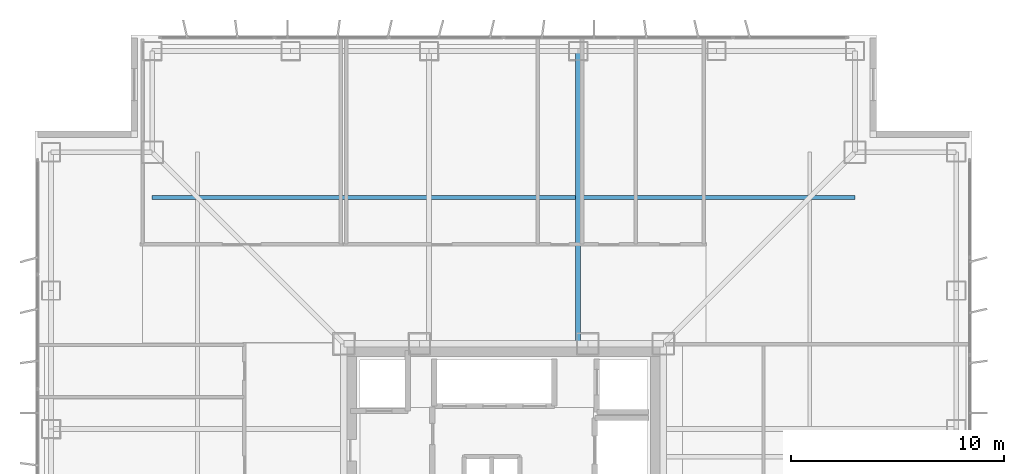
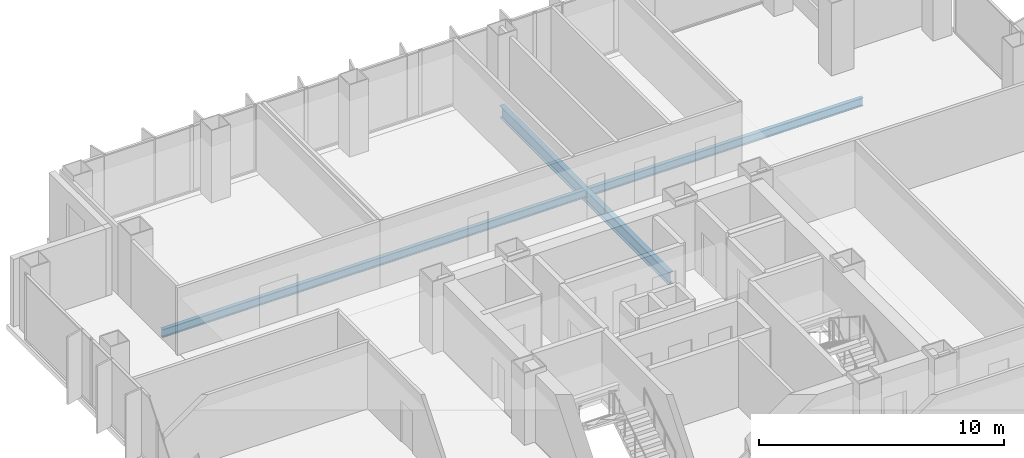
# One storey, part 10 of 18: 2 beams.
"""IFC4 building model written with IfcOpenShell, lengths in metres."""

from ifc_helpers import new_model, si_unit, direction, frame, origin, origin_2d, place, context, subcontext, project, spatial, i_section, extrude, material, material_profile, profile_set, type_object, element, save


model = new_model("IFC4")

# Units and contexts
model_context = context("Model", 3, precision=1e-05, world=origin(), true_north=direction((0.0, 1.0)))
body_context = subcontext(model_context, "Body", "Model", "MODEL_VIEW")
ifc_project = project(units=[si_unit("LENGTHUNIT", "METRE"), si_unit("AREAUNIT", "SQUARE_METRE"), si_unit("VOLUMEUNIT", "CUBIC_METRE"), si_unit("PLANEANGLEUNIT", "RADIAN"), si_unit("MASSUNIT", "GRAM", prefix="KILO")], contexts=[model_context])

# Site, building, storey
site_placement = place(None, origin())
site = spatial("IfcSite", under=ifc_project, at=site_placement, CompositionType="ELEMENT")
building_placement = place(site_placement, origin())
building = spatial("IfcBuilding", under=site, at=building_placement, Name="Trevonay Congress Spire", CompositionType="ELEMENT")
storey_placement = place(building_placement, frame((0.0, 0.0, 104.800048828125)))
storey = spatial("IfcBuildingStorey", under=building, at=storey_placement, Name="L26", CompositionType="ELEMENT", Elevation=104.800048828125)

# Beams
ifc_material = material(Name="Steel ASTM A572 Grade 50", Category="steel")
ifc_material_profile_1 = material_profile(ifc_material, i_section(OverallWidth=0.22998046875, OverallDepth=0.616943359375, WebThickness=0.01318359375, FlangeThickness=0.022216796875, FilletRadius=0.01611328125, at=origin_2d()), Name="W610x140")
ifc_profile_set_1 = profile_set([ifc_material_profile_1], Name="Steel ASTM A572 Grade 50")
beam_type_1 = type_object("IfcBeamType", Name="BM-GIRD-W610X140", PredefinedType="BEAM", material=ifc_profile_set_1)
beam_1_placement = place(storey_placement, frame((3.5, 7.5, -0.548583984375), z_axis=(0.0, 1.0, 0.0), x_axis=(-1.0, 0.0, 0.0)))
element("IfcBeam", 1, at=beam_1_placement, inside=storey, type_object=beam_type_1, Name="L26 structural beam BM-L26-GN-P", PredefinedType="BEAM", context=body_context, shape_type="SweptSolid", body=[
    extrude(i_section(OverallWidth=0.22998046875, OverallDepth=0.616943359375, WebThickness=0.01318359375, FlangeThickness=0.022216796875, FilletRadius=0.01611328125, at=origin_2d()), origin(), (0.0, 0.0, 1.0), 13.75),
])
ifc_material_profile_2 = material_profile(ifc_material, i_section(OverallWidth=0.177978515625, OverallDepth=0.406982421875, WebThickness=0.0078125, FlangeThickness=0.0126953125, FilletRadius=0.012939453125, at=origin_2d()), Name="W410x60")
ifc_profile_set_2 = profile_set([ifc_material_profile_2], Name="Steel ASTM A572 Grade 50")
beam_type_2 = type_object("IfcBeamType", Name="JS-COMP-W410X60", PredefinedType="JOIST", material=ifc_profile_set_2)
beam_2_placement = place(storey_placement, frame((-16.5, 14.375, -0.443603515625), z_axis=(1.0, 0.0, 0.0), x_axis=(0.0, 1.0, 0.0)))
element("IfcBeam", 2, at=beam_2_placement, inside=storey, type_object=beam_type_2, Name="L26 structural beam JS-L26-RING-N", PredefinedType="JOIST", context=body_context, shape_type="SweptSolid", body=[
    extrude(i_section(OverallWidth=0.177978515625, OverallDepth=0.406982421875, WebThickness=0.0078125, FlangeThickness=0.0126953125, FilletRadius=0.012939453125, at=origin_2d()), origin(), (0.0, 0.0, 1.0), 33.0),
])

save(model, "model.ifc")
